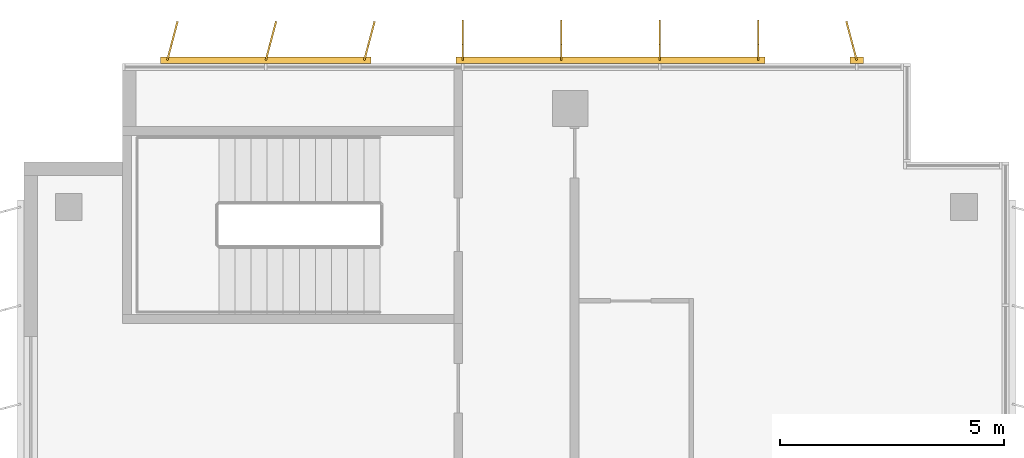
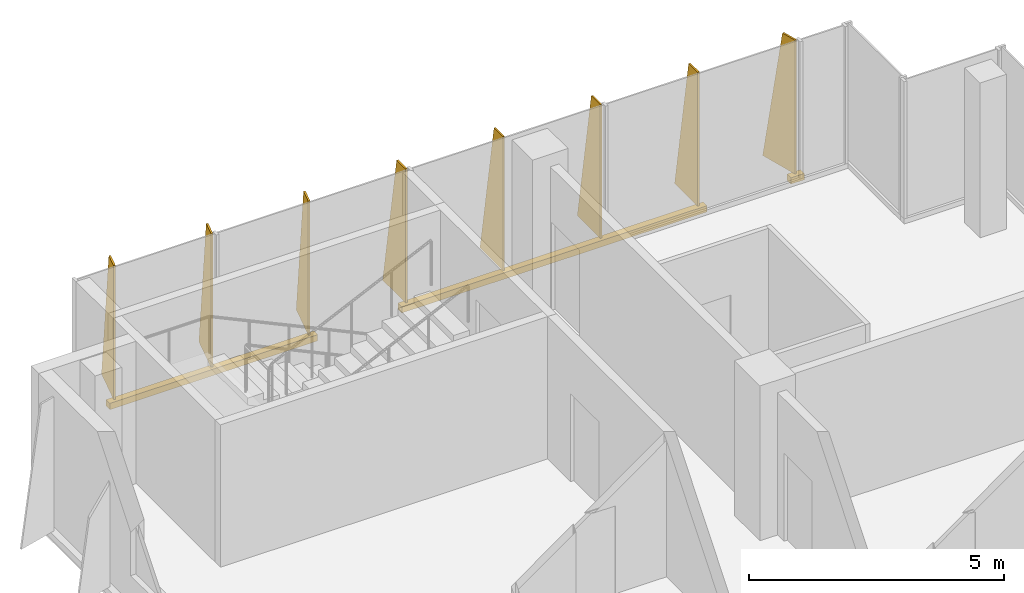
# One storey, part 15 of 15: 3 shading devices.
"""IFC4 building model written with IfcOpenShell, lengths in metres."""

from ifc_helpers import new_model, si_unit, direction, frame, origin, origin_2d, place, context, subcontext, project, spatial, polyline, rectangle, outline, extrude, source, transform, mapped, material, layer, layer_set, type_object, element, save


model = new_model("IFC4")

# Units and contexts
model_context = context("Model", 3, precision=1e-05, world=origin(), true_north=direction((0.0, 1.0)))
body_context = subcontext(model_context, "Body", "Model", "MODEL_VIEW")
ifc_project = project(units=[si_unit("LENGTHUNIT", "METRE"), si_unit("AREAUNIT", "SQUARE_METRE"), si_unit("VOLUMEUNIT", "CUBIC_METRE"), si_unit("PLANEANGLEUNIT", "RADIAN"), si_unit("MASSUNIT", "GRAM", prefix="KILO")], contexts=[model_context])

# Site, building, storey
site_placement = place(None, origin())
site = spatial("IfcSite", under=ifc_project, at=site_placement, CompositionType="ELEMENT")
building_placement = place(site_placement, origin())
building = spatial("IfcBuilding", under=site, at=building_placement, Name="Kemantara Hotel Tower", CompositionType="ELEMENT")
storey_placement = place(building_placement, frame((0.0, 0.0, 233.89990234375)))
storey = spatial("IfcBuildingStorey", under=building, at=storey_placement, Name="L58", CompositionType="ELEMENT", Elevation=233.89990234375)

# Shading devices
ifc_material = material(Name="Perforated aluminium plate 4 mm bronze anodised", Category="aluminium")
ifc_layer_1 = layer(ifc_material, 0.0400390625)
ifc_layer_set_1 = layer_set([ifc_layer_1], Name="Perforated aluminium plate 4 mm bronze anodised")
shading_device_type_1 = type_object("IfcShadingDeviceType", Name="SCREEN FIN CASSETTE, 3 BLADES AT -15.0 DEG, 3200 HIGH", PredefinedType="USERDEFINED", material=ifc_layer_set_1)
shared_shape_1 = source(origin(), body_context, "Body", "SweptSolid", [
    extrude(rectangle(XDim=4.699951171875, YDim=0.14990234375, at=origin_2d()), frame((2.199951171875, -0.074951171875, -0.14990234375), z_axis=(0.0, 0.0, 1.0), x_axis=(1.0, 0.0, 0.0)), (0.0, 0.0, 1.0), 0.14990234375),
    extrude(outline(polyline([(0.0, 0.0), (0.89990234375, 0.0), (0.35009765625, 3.199951171875), (0.0, 3.199951171875), (0.0, 0.0)])), frame((0.019287109375, -0.080078125, 0.0), z_axis=(-0.966437683387, 0.256901156343, 0.0), x_axis=(-0.256901156343, -0.966437683387, 0.0)), (0.0, 0.0, 1.0), 0.039794921875),
    extrude(outline(polyline([(0.0, 0.0), (0.89990234375, 0.0), (0.35009765625, 3.199951171875), (0.0, 3.199951171875), (0.0, 0.0)])), frame((2.21923828125, -0.080078125, 0.0), z_axis=(-0.966437683387, 0.256901156343, 0.0), x_axis=(-0.256901156343, -0.966437683387, 0.0)), (0.0, 0.0, 1.0), 0.039794921875),
    extrude(outline(polyline([(0.0, 0.0), (0.89990234375, 0.0), (0.35009765625, 3.199951171875), (0.0, 3.199951171875), (0.0, 0.0)])), frame((4.41943359375, -0.080078125, 0.0), z_axis=(-0.966837822169, 0.255391122837, 0.0), x_axis=(-0.255391122837, -0.966837822169, 0.0)), (0.0, 0.0, 1.0), 0.0400390625),
])
shading_device_1_placement = place(storey_placement, frame((7.60009765625, 63.60009765625, 0.10009765625), z_axis=(0.0, 0.0, 1.0), x_axis=(-1.0, 0.0, 0.0)))
element("IfcShadingDevice", 1, at=shading_device_1_placement, inside=storey, type_object=shading_device_type_1, Name="SCREEN FIN CASSETTE L58 T4-R02-3", ObjectType="SCREEN FIN", PredefinedType="USERDEFINED", context=body_context, shape_type="MappedRepresentation", body=[
    mapped(shared_shape_1, transform((0.0, 0.0, 0.0))),
])
ifc_layer_2 = layer(ifc_material, 0.0400390625)
ifc_layer_set_2 = layer_set([ifc_layer_2], Name="Perforated aluminium plate 4 mm bronze anodised")
shading_device_type_2 = type_object("IfcShadingDeviceType", Name="SCREEN FIN CASSETTE, 4 BLADES AT +0.0 DEG, 3200 HIGH", PredefinedType="USERDEFINED", material=ifc_layer_set_2)
shared_shape_2 = source(origin(), body_context, "Body", "SweptSolid", [
    extrude(rectangle(XDim=6.89990234375, YDim=0.14990234375, at=origin_2d()), frame((3.300048828125, -0.074951171875, -0.14990234375), z_axis=(0.0, 0.0, 1.0), x_axis=(1.0, 0.0, 0.0)), (0.0, 0.0, 1.0), 0.14990234375),
    extrude(outline(polyline([(0.0, 0.0), (0.89990234375, 0.0), (0.35009765625, 3.199951171875), (0.0, 3.199951171875), (0.0, 0.0)])), frame((0.02001953125, -0.074951171875, 0.0), z_axis=(-1.0, 0.0, 0.0), x_axis=(0.0, -1.0, 0.0)), (0.0, 0.0, 1.0), 0.0400390625),
    extrude(outline(polyline([(0.0, 0.0), (0.89990234375, 0.0), (0.35009765625, 3.199951171875), (0.0, 3.199951171875), (0.0, 0.0)])), frame((2.219970703125, -0.074951171875, 0.0), z_axis=(-1.0, 0.0, 0.0), x_axis=(0.0, -1.0, 0.0)), (0.0, 0.0, 1.0), 0.0400390625),
    extrude(outline(polyline([(0.0, 0.0), (0.89990234375, 0.0), (0.35009765625, 3.199951171875), (0.0, 3.199951171875), (0.0, 0.0)])), frame((4.419921875, -0.074951171875, 0.0), z_axis=(-1.0, 0.0, 0.0), x_axis=(0.0, -1.0, 0.0)), (0.0, 0.0, 1.0), 0.0400390625),
    extrude(outline(polyline([(0.0, 0.0), (0.89990234375, 0.0), (0.35009765625, 3.199951171875), (0.0, 3.199951171875), (0.0, 0.0)])), frame((6.6201171875, -0.074951171875, 0.0), z_axis=(-1.0, 0.0, 0.0), x_axis=(0.0, -1.0, 0.0)), (0.0, 0.0, 1.0), 0.0400390625),
])
shading_device_2_placement = place(storey_placement, frame((16.39990234375, 63.60009765625, 0.10009765625), z_axis=(0.0, 0.0, 1.0), x_axis=(-1.0, 0.0, 0.0)))
element("IfcShadingDevice", 2, at=shading_device_2_placement, inside=storey, type_object=shading_device_type_2, Name="SCREEN FIN CASSETTE L58 T4-R02-2", ObjectType="SCREEN FIN", PredefinedType="USERDEFINED", context=body_context, shape_type="MappedRepresentation", body=[
    mapped(shared_shape_2, transform((0.0, 0.0, 0.0))),
])
ifc_layer_3 = layer(ifc_material, 0.0400390625)
ifc_layer_set_3 = layer_set([ifc_layer_3], Name="Perforated aluminium plate 4 mm bronze anodised")
shading_device_type_3 = type_object("IfcShadingDeviceType", Name="SCREEN FIN CASSETTE, 1 BLADE AT +15.0 DEG, 3200 HIGH", PredefinedType="USERDEFINED", material=ifc_layer_set_3)
shared_shape_3 = source(origin(), body_context, "Body", "SweptSolid", [
    extrude(rectangle(XDim=0.300048828125, YDim=0.14990234375, at=origin_2d()), frame((0.0, -0.074951171875, -0.14990234375), z_axis=(0.0, 0.0, 1.0), x_axis=(1.0, 0.0, 0.0)), (0.0, 0.0, 1.0), 0.14990234375),
    extrude(outline(polyline([(0.0, 0.0), (0.89990234375, 0.0), (0.35009765625, 3.199951171875), (0.0, 3.199951171875), (0.0, 0.0)])), frame((0.019287109375, -0.06982421875, 0.0), z_axis=(-0.966437683387, -0.256901156343, 0.0), x_axis=(0.256901156343, -0.966437683387, 0.0)), (0.0, 0.0, 1.0), 0.039794921875),
])
shading_device_3_placement = place(storey_placement, frame((18.60009765625, 63.60009765625, 0.10009765625), z_axis=(0.0, 0.0, 1.0), x_axis=(-1.0, 0.0, 0.0)))
element("IfcShadingDevice", 3, at=shading_device_3_placement, inside=storey, type_object=shading_device_type_3, Name="SCREEN FIN CASSETTE L58 T4-R02-1", ObjectType="SCREEN FIN", PredefinedType="USERDEFINED", context=body_context, shape_type="MappedRepresentation", body=[
    mapped(shared_shape_3, transform((0.0, 0.0, 0.0))),
])

save(model, "model.ifc")
